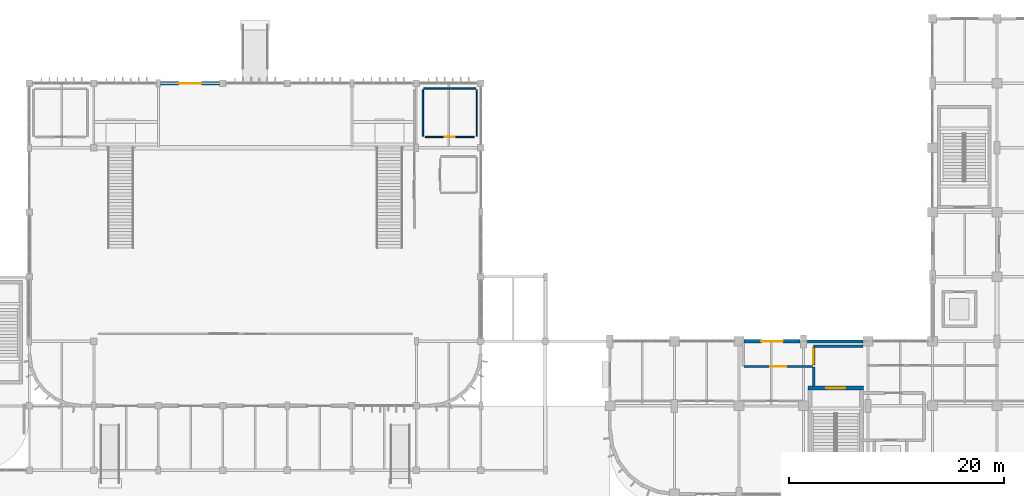
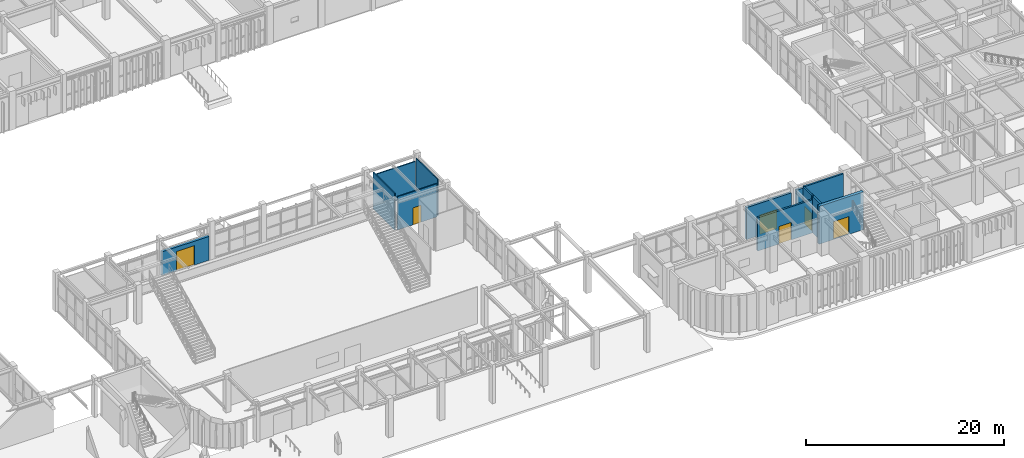
# One storey, part 44 of 76: 12 walls, 6 doors, 6 openings.
"""IFC4 building model written with IfcOpenShell, lengths in metres."""

from ifc_helpers import new_model, si_unit, direction, frame, frame_2d, origin, place, context, subcontext, project, spatial, rectangle, extrude, material, layer, layer_set, type_object, element, fill, save


model = new_model("IFC4")

# Units and contexts
model_context = context("Model", 3, precision=1e-05, world=origin(), true_north=direction((0.0, 1.0)))
body_context = subcontext(model_context, "Body", "Model", "MODEL_VIEW")
ifc_project = project(units=[si_unit("LENGTHUNIT", "METRE"), si_unit("AREAUNIT", "SQUARE_METRE"), si_unit("VOLUMEUNIT", "CUBIC_METRE"), si_unit("PLANEANGLEUNIT", "RADIAN"), si_unit("MASSUNIT", "GRAM", prefix="KILO")], contexts=[model_context])

# Site, building, storey
site_placement = place(None, origin())
site = spatial("IfcSite", under=ifc_project, at=site_placement, CompositionType="ELEMENT")
building_placement = place(site_placement, origin())
building = spatial("IfcBuilding", under=site, at=building_placement, Name="Varnakota Square Police Headquarters", CompositionType="ELEMENT")
storey_placement = place(building_placement, origin())
storey = spatial("IfcBuildingStorey", under=building, at=storey_placement, Name="L00", CompositionType="ELEMENT", Elevation=0.0)

# Wall, opening, door
ifc_material_1 = material(Name="Concrete M50", Category="concrete")
ifc_layer_1 = layer(ifc_material_1, 0.35009765625, Name="Concrete M50")
ifc_layer_set_1 = layer_set([ifc_layer_1], Name="Concrete M50")
wall_type_1 = type_object("IfcWallType", Name="WL-CORE-350", PredefinedType="SHEAR", material=ifc_layer_set_1)
wall_1_placement = place(storey_placement, frame((131.574951171875, 10.64990234375, 0.0), z_axis=(0.0, 0.0, 1.0), x_axis=(-1.0, 0.0, 0.0)))
wall_1 = element("IfcWall", 1, at=wall_1_placement, inside=storey, type_object=wall_type_1, Name="Core C1 shear wall L00 N", PredefinedType="SHEAR", context=body_context, shape_type="SweptSolid", body=[
    extrude(rectangle(XDim=5.14990234375, YDim=0.35009765625, at=frame_2d((2.574951171875, 0.0))), origin(), (0.0, 0.0, 1.0), 4.659912109375),
])
opening_1_placement = place(wall_1_placement, frame((1.675048828125, 0.0, 0.0)))
opening_1 = element("IfcOpeningElement", 2, at=opening_1_placement, cuts=wall_1, Name="Opening SD001", PredefinedType="OPENING", context=body_context, shape_type="SweptSolid", body=[
    extrude(rectangle(XDim=1.800048828125, YDim=2.199951171875, at=frame_2d((0.89990234375, 1.10009765625))), frame((0.0, 0.18505859375, 0.0), z_axis=(0.0, -1.0, 0.0), x_axis=(1.0, 0.0, 0.0)), (0.0, 0.0, 1.0), 0.3701171875),
])
ifc_material_2 = material(Name="Powder-Coated Galvanised Steel", Category="steel")
door_type_1 = type_object("IfcDoorType", Name="DR-ST-180", OperationType="NOTDEFINED", PredefinedType="DOOR", material=ifc_material_2)
door_1_placement = place(opening_1_placement, origin())
door_1 = element("IfcDoor", 3, at=door_1_placement, inside=storey, type_object=door_type_1, Name="Protected stair door SD001", OperationType="DOUBLE_DOOR_SINGLE_SWING", OverallHeight=2.199951171875, OverallWidth=1.800048828125, PredefinedType="DOOR", context=body_context, shape_type="SweptSolid", body=[
    extrude(rectangle(XDim=1.800048828125, YDim=2.199951171875, at=frame_2d((0.89990234375, 1.10009765625))), frame((0.0, 0.02490234375, 0.0), z_axis=(0.0, -1.0, 0.0), x_axis=(1.0, 0.0, 0.0)), (0.0, 0.0, 1.0), 0.050048828125),
])
fill(opening_1, door_1)

# Wall
ifc_material_3 = material(Name="Concrete M40", Category="concrete")
ifc_layer_2 = layer(ifc_material_3, 0.280029296875, Name="Concrete M40")
ifc_layer_set_2 = layer_set([ifc_layer_2], Name="Concrete M40")
wall_type_2 = type_object("IfcWallType", Name="WL-EXT-280", PredefinedType="SOLIDWALL", material=ifc_layer_set_2)
wall_2_placement = place(storey_placement, frame((126.303955078125, 15.0, 0.0), z_axis=(0.0, 0.0, 1.0), x_axis=(1.0, 0.0, 0.0)))
element("IfcWall", 4, at=wall_2_placement, inside=storey, type_object=wall_type_2, Name="Exterior wall EW-L00-0115", PredefinedType="SOLIDWALL", context=body_context, shape_type="SweptSolid", body=[
    extrude(rectangle(XDim=5.241943359375, YDim=0.280029296875, at=frame_2d((2.62109375, 0.0))), origin(), (0.0, 0.0, 1.0), 4.0400390625),
])

# Wall, opening, door
ifc_material_4 = material(Name="Precast concrete M40", Category="concrete")
ifc_layer_3 = layer(ifc_material_4, 0.300048828125, Name="Precast concrete M40")
ifc_layer_set_3 = layer_set([ifc_layer_3], Name="Precast concrete M40")
wall_type_3 = type_object("IfcWallType", Name="WL-EXT-300", PredefinedType="SOLIDWALL", material=ifc_layer_set_3)
wall_3_placement = place(storey_placement, frame((66.2041015625, 39.0, 0.0), z_axis=(0.0, 0.0, 1.0), x_axis=(1.0, 0.0, 0.0)))
wall_3 = element("IfcWall", 5, at=wall_3_placement, inside=storey, type_object=wall_type_3, Name="Exterior wall EW-L00-0060", PredefinedType="SOLIDWALL", context=body_context, shape_type="SweptSolid", body=[
    extrude(rectangle(XDim=5.491943359375, YDim=0.300048828125, at=frame_2d((2.74609375, 0.0))), origin(), (0.0, 0.0, 1.0), 2.93994140625),
])
opening_2_placement = place(wall_3_placement, frame((1.696044921875, 0.0, 0.0)))
opening_2 = element("IfcOpeningElement", 6, at=opening_2_placement, cuts=wall_3, Name="Opening ED06", PredefinedType="OPENING", context=body_context, shape_type="SweptSolid", body=[
    extrude(rectangle(XDim=2.10009765625, YDim=2.39990234375, at=frame_2d((1.050048828125, 1.199951171875))), frame((0.0, 0.159912109375, 0.0), z_axis=(0.0, -1.0, 0.0), x_axis=(1.0, 0.0, 0.0)), (0.0, 0.0, 1.0), 0.320068359375),
])
ifc_material_5 = material(Name="Anodised Aluminium Glazed Exit Door", Category="aluminium")
door_type_2 = type_object("IfcDoorType", Name="DR-EXT-ED210", OperationType="NOTDEFINED", PredefinedType="DOOR", material=ifc_material_5)
door_2_placement = place(opening_2_placement, origin())
door_2 = element("IfcDoor", 7, at=door_2_placement, inside=storey, type_object=door_type_2, Name="Exterior door ED06", OperationType="DOUBLE_DOOR_SINGLE_SWING", OverallHeight=2.39990234375, OverallWidth=2.10009765625, PredefinedType="DOOR", context=body_context, shape_type="SweptSolid", body=[
    extrude(rectangle(XDim=2.10009765625, YDim=2.39990234375, at=frame_2d((1.050048828125, 1.199951171875))), frame((0.0, 0.02490234375, 0.0), z_axis=(0.0, -1.0, 0.0), x_axis=(1.0, 0.0, 0.0)), (0.0, 0.0, 1.0), 0.050048828125),
])
fill(opening_2, door_2)

wall_4_placement = place(storey_placement, frame((120.4541015625, 15.0, 0.0), z_axis=(0.0, 0.0, 1.0), x_axis=(1.0, 0.0, 0.0)))
wall_4 = element("IfcWall", 8, at=wall_4_placement, inside=storey, type_object=wall_type_3, Name="Exterior wall EW-L00-0114", PredefinedType="SOLIDWALL", context=body_context, shape_type="SweptSolid", body=[
    extrude(rectangle(XDim=5.241943359375, YDim=0.300048828125, at=frame_2d((2.62109375, 0.0))), origin(), (0.0, 0.0, 1.0), 3.93994140625),
])
opening_3_placement = place(wall_4_placement, frame((1.62109375, 0.0, 0.0)))
opening_3 = element("IfcOpeningElement", 9, at=opening_3_placement, cuts=wall_4, Name="Opening ED13", PredefinedType="OPENING", context=body_context, shape_type="SweptSolid", body=[
    extrude(rectangle(XDim=2.0, YDim=2.39990234375, at=frame_2d((1.0, 1.199951171875))), frame((0.0, 0.159912109375, 0.0), z_axis=(0.0, -1.0, 0.0), x_axis=(1.0, 0.0, 0.0)), (0.0, 0.0, 1.0), 0.320068359375),
])
ifc_material_6 = material(Name="Powder-Coated Steel Exit Door", Category="steel")
door_type_3 = type_object("IfcDoorType", Name="DR-EXT-ED200", OperationType="NOTDEFINED", PredefinedType="DOOR", material=ifc_material_6)
door_3_placement = place(opening_3_placement, origin())
door_3 = element("IfcDoor", 10, at=door_3_placement, inside=storey, type_object=door_type_3, Name="Exterior door ED13", OperationType="DOUBLE_DOOR_SINGLE_SWING", OverallHeight=2.39990234375, OverallWidth=2.0, PredefinedType="DOOR", context=body_context, shape_type="SweptSolid", body=[
    extrude(rectangle(XDim=2.0, YDim=2.39990234375, at=frame_2d((1.0, 1.199951171875))), frame((0.0, 0.02490234375, 0.0), z_axis=(0.0, -1.0, 0.0), x_axis=(1.0, 0.0, 0.0)), (0.0, 0.0, 1.0), 0.050048828125),
])
fill(opening_3, door_3)

# Wall
ifc_material_7 = material(Name="Lightweight Demountable Office Partition", Category="gypsum")
ifc_layer_4 = layer(ifc_material_7, 0.094970703125, Name="Lightweight Demountable Office Partition")
ifc_layer_set_4 = layer_set([ifc_layer_4], Name="Lightweight Demountable Office Partition")
wall_type_4 = type_object("IfcWallType", Name="WL-PRT-095", PredefinedType="PARTITIONING", material=ifc_layer_set_4)
wall_5_placement = place(storey_placement, frame((95.60009765625, 38.419921875, 0.0), z_axis=(0.0, 0.0, 1.0), x_axis=(0.0, -1.0, 0.0)))
element("IfcWall", 11, at=wall_5_placement, inside=storey, type_object=wall_type_4, Name="Interior dividing partition PW-L00-0068 (L00 Public Women Washroom WC)", PredefinedType="PARTITIONING", context=body_context, shape_type="SweptSolid", body=[
    extrude(rectangle(XDim=4.33984375, YDim=0.094970703125, at=frame_2d((2.169921875, 0.0))), origin(), (0.0, 0.0, 1.0), 4.489990234375),
])

# Wall, opening, door
ifc_material_8 = material(Name="Moisture-Resistant Tile-Backed Partition", Category="gypsum")
ifc_layer_5 = layer(ifc_material_8, 0.114990234375, Name="Moisture-Resistant Tile-Backed Partition")
ifc_layer_set_5 = layer_set([ifc_layer_5], Name="Moisture-Resistant Tile-Backed Partition")
wall_type_5 = type_object("IfcWallType", Name="WL-PRT-115", PredefinedType="PARTITIONING", material=ifc_layer_set_5)
wall_6_placement = place(storey_placement, frame((95.39990234375, 34.0, 0.0), z_axis=(0.0, 0.0, 1.0), x_axis=(-1.0, 0.0, 0.0)))
wall_6 = element("IfcWall", 12, at=wall_6_placement, inside=storey, type_object=wall_type_5, Name="Interior partition PW-L00-0026 (L00 Public Women Washroom WC)", PredefinedType="PARTITIONING", context=body_context, shape_type="SweptSolid", body=[
    extrude(rectangle(XDim=4.599853515625, YDim=0.114990234375, at=frame_2d((2.2998046875, 0.0))), origin(), (0.0, 0.0, 1.0), 4.090087890625),
])
opening_4_placement = place(wall_6_placement, frame((1.85009765625, 0.0, 0.0)))
opening_4 = element("IfcOpeningElement", 13, at=opening_4_placement, cuts=wall_6, Name="Opening D158", PredefinedType="OPENING", context=body_context, shape_type="SweptSolid", body=[
    extrude(rectangle(XDim=0.89990234375, YDim=2.10009765625, at=frame_2d((0.449951171875, 1.050048828125))), frame((0.0, 0.0673828125, 0.0), z_axis=(0.0, -1.0, 0.0), x_axis=(1.0, 0.0, 0.0)), (0.0, 0.0, 1.0), 0.135009765625),
])
ifc_material_9 = material(Name="High-Pressure Moisture-Resistant Compact Laminate")
door_type_4 = type_object("IfcDoorType", Name="DR-WC-090", OperationType="NOTDEFINED", PredefinedType="DOOR", material=ifc_material_9)
door_4_placement = place(opening_4_placement, origin())
door_4 = element("IfcDoor", 14, at=door_4_placement, inside=storey, type_object=door_type_4, Name="Room door D158 (L00 Public Women Washroom WC)", OperationType="SINGLE_SWING_RIGHT", OverallHeight=2.10009765625, OverallWidth=0.89990234375, PredefinedType="DOOR", context=body_context, shape_type="SweptSolid", body=[
    extrude(rectangle(XDim=0.89990234375, YDim=2.10009765625, at=frame_2d((0.449951171875, 1.050048828125))), frame((0.0, 0.02490234375, 0.0), z_axis=(0.0, -1.0, 0.0), x_axis=(1.0, 0.0, 0.0)), (0.0, 0.0, 1.0), 0.050048828125),
])
fill(opening_4, door_4)

# Walls
ifc_material_10 = material(Name="Acoustic Insulated Metal-Stud Partition", Category="gypsum")
ifc_layer_6 = layer(ifc_material_10, 0.125, Name="Acoustic Insulated Metal-Stud Partition")
ifc_layer_set_6 = layer_set([ifc_layer_6], Name="Acoustic Insulated Metal-Stud Partition")
wall_type_6 = type_object("IfcWallType", Name="WL-PRT-125", PredefinedType="PARTITIONING", material=ifc_layer_set_6)
wall_7_placement = place(storey_placement, frame((90.679931640625, 38.5, 0.0), z_axis=(0.0, 0.0, 1.0), x_axis=(1.0, 0.0, 0.0)))
element("IfcWall", 15, at=wall_7_placement, inside=storey, type_object=wall_type_6, Name="Interior dividing partition PW-L00-0070 (L00 Public Women Washroom WC)", PredefinedType="PARTITIONING", context=body_context, shape_type="SweptSolid", body=[
    extrude(rectangle(XDim=4.840087890625, YDim=0.125, at=frame_2d((2.419921875, 0.0))), origin(), (0.0, 0.0, 1.0), 4.090087890625),
])
ifc_layer_7 = layer(ifc_material_10, 0.139892578125, Name="Acoustic Insulated Metal-Stud Partition")
ifc_layer_set_7 = layer_set([ifc_layer_7], Name="Acoustic Insulated Metal-Stud Partition")
wall_type_7 = type_object("IfcWallType", Name="WL-PRT-140", PredefinedType="PARTITIONING", material=ifc_layer_set_7)
wall_8_placement = place(storey_placement, frame((90.60009765625, 34.080078125, 0.0), z_axis=(0.0, 0.0, 1.0), x_axis=(0.0, 1.0, 0.0)))
element("IfcWall", 16, at=wall_8_placement, inside=storey, type_object=wall_type_7, Name="Interior dividing partition PW-L00-0069 (L00 Public Women Washroom WC)", PredefinedType="PARTITIONING", context=body_context, shape_type="SweptSolid", body=[
    extrude(rectangle(XDim=4.33984375, YDim=0.139892578125, at=frame_2d((2.169921875, 0.0))), origin(), (0.0, 0.0, 1.0), 4.489990234375),
])

# Wall, opening, door
ifc_layer_8 = layer(ifc_material_3, 0.215087890625, Name="Concrete M40")
ifc_layer_set_8 = layer_set([ifc_layer_8], Name="Concrete M40")
wall_type_8 = type_object("IfcWallType", Name="WL-PRT-215F", PredefinedType="PARTITIONING", material=ifc_layer_set_8)
wall_9_placement = place(storey_placement, frame((126.949951171875, 12.780029296875, 0.0), z_axis=(0.0, 0.0, 1.0), x_axis=(0.0, 1.0, 0.0)))
wall_9 = element("IfcWall", 17, at=wall_9_placement, inside=storey, type_object=wall_type_8, Name="Core C1 lobby fire partition L00", PredefinedType="PARTITIONING", context=body_context, shape_type="SweptSolid", body=[
    extrude(rectangle(XDim=1.699951171875, YDim=0.215087890625, at=frame_2d((0.85009765625, 0.0))), origin(), (0.0, 0.0, 1.0), 4.489990234375),
])
opening_5_placement = place(wall_9_placement, frame((0.14990234375, 0.0, 0.0)))
opening_5 = element("IfcOpeningElement", 18, at=opening_5_placement, cuts=wall_9, Name="Opening FD009", PredefinedType="OPENING", context=body_context, shape_type="SweptSolid", body=[
    extrude(rectangle(XDim=1.39990234375, YDim=2.199951171875, at=frame_2d((0.699951171875, 1.10009765625))), frame((0.0, 0.117431640625, 0.0), z_axis=(0.0, -1.0, 0.0), x_axis=(1.0, 0.0, 0.0)), (0.0, 0.0, 1.0), 0.235107421875),
])
door_type_5 = type_object("IfcDoorType", Name="DR-ST-140", OperationType="NOTDEFINED", PredefinedType="DOOR", material=ifc_material_2)
door_5_placement = place(opening_5_placement, origin())
door_5 = element("IfcDoor", 19, at=door_5_placement, inside=storey, type_object=door_type_5, Name="Core lobby smoke door FD009", OperationType="DOUBLE_DOOR_SINGLE_SWING", OverallHeight=2.199951171875, OverallWidth=1.39990234375, PredefinedType="DOOR", context=body_context, shape_type="SweptSolid", body=[
    extrude(rectangle(XDim=1.39990234375, YDim=2.199951171875, at=frame_2d((0.699951171875, 1.10009765625))), frame((0.0, 0.02490234375, 0.0), z_axis=(0.0, -1.0, 0.0), x_axis=(1.0, 0.0, 0.0)), (0.0, 0.0, 1.0), 0.050048828125),
])
fill(opening_5, door_5)

wall_10_placement = place(storey_placement, frame((120.449951171875, 12.64990234375, 0.0), z_axis=(0.0, 0.0, 1.0), x_axis=(1.0, 0.0, 0.0)))
wall_10 = element("IfcWall", 20, at=wall_10_placement, inside=storey, type_object=wall_type_8, Name="Protected exit passageway fire wall EXW-C1-S", PredefinedType="PARTITIONING", context=body_context, shape_type="SweptSolid", body=[
    extrude(rectangle(XDim=6.400146484375, YDim=0.215087890625, at=frame_2d((3.2001953125, 0.0))), origin(), (0.0, 0.0, 1.0), 4.090087890625),
])
opening_6_placement = place(wall_10_placement, frame((2.449951171875, 0.0, 0.0)))
opening_6 = element("IfcOpeningElement", 21, at=opening_6_placement, cuts=wall_10, Name="Opening FD137", PredefinedType="OPENING", context=body_context, shape_type="SweptSolid", body=[
    extrude(rectangle(XDim=1.5, YDim=2.14990234375, at=frame_2d((0.75, 1.074951171875))), frame((0.0, 0.117431640625, 0.0), z_axis=(0.0, -1.0, 0.0), x_axis=(1.0, 0.0, 0.0)), (0.0, 0.0, 1.0), 0.235107421875),
])
ifc_material_11 = material(Name="Smoke-Sealed Galvanised Acoustic Steel", Category="steel")
door_type_6 = type_object("IfcDoorType", Name="DR-FFL-150", OperationType="NOTDEFINED", PredefinedType="DOOR", material=ifc_material_11)
door_6_placement = place(opening_6_placement, origin())
door_6 = element("IfcDoor", 22, at=door_6_placement, inside=storey, type_object=door_type_6, Name="Protected exit passageway fire door FD137", OperationType="DOUBLE_DOOR_SINGLE_SWING", OverallHeight=2.14990234375, OverallWidth=1.5, PredefinedType="DOOR", context=body_context, shape_type="SweptSolid", body=[
    extrude(rectangle(XDim=1.5, YDim=2.14990234375, at=frame_2d((0.75, 1.074951171875))), frame((0.0, 0.02490234375, 0.0), z_axis=(0.0, -1.0, 0.0), x_axis=(1.0, 0.0, 0.0)), (0.0, 0.0, 1.0), 0.050048828125),
])
fill(opening_6, door_6)

# Walls
wall_11_placement = place(storey_placement, frame((126.949951171875, 10.800048828125, 0.0), z_axis=(0.0, 0.0, 1.0), x_axis=(0.0, 1.0, 0.0)))
element("IfcWall", 23, at=wall_11_placement, inside=storey, type_object=wall_type_8, Name="Protected exit passageway fire wall EXW-C1-LS", PredefinedType="PARTITIONING", context=body_context, shape_type="SweptSolid", body=[
    extrude(rectangle(XDim=1.800048828125, YDim=0.215087890625, at=frame_2d((0.89990234375, 0.0))), origin(), (0.0, 0.0, 1.0), 4.489990234375),
])
wall_12_placement = place(storey_placement, frame((126.949951171875, 14.550048828125, 0.0), z_axis=(0.0, 0.0, 1.0), x_axis=(1.0, 0.0, 0.0)))
element("IfcWall", 24, at=wall_12_placement, inside=storey, type_object=wall_type_8, Name="Protected exit passageway fire wall EXW-C1-LN", PredefinedType="PARTITIONING", context=body_context, shape_type="SweptSolid", body=[
    extrude(rectangle(XDim=4.60009765625, YDim=0.215087890625, at=frame_2d((2.300048828125, 0.0))), origin(), (0.0, 0.0, 1.0), 4.489990234375),
])

save(model, "model.ifc")
